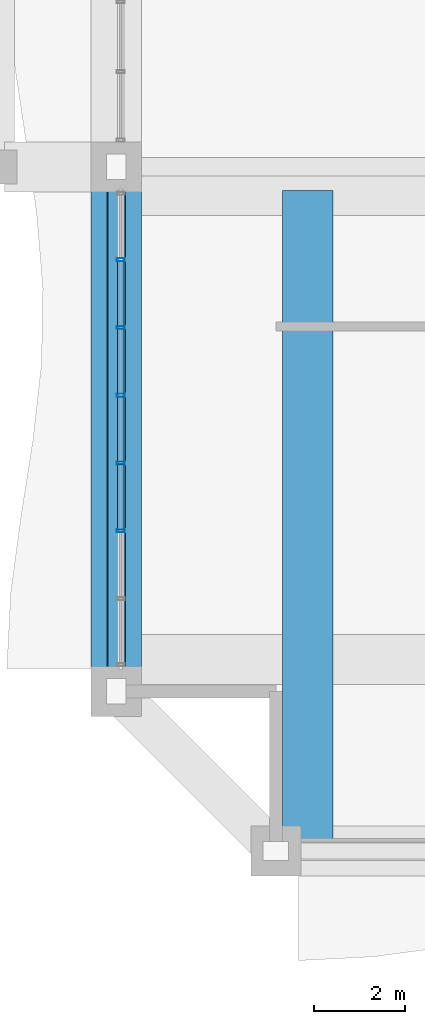
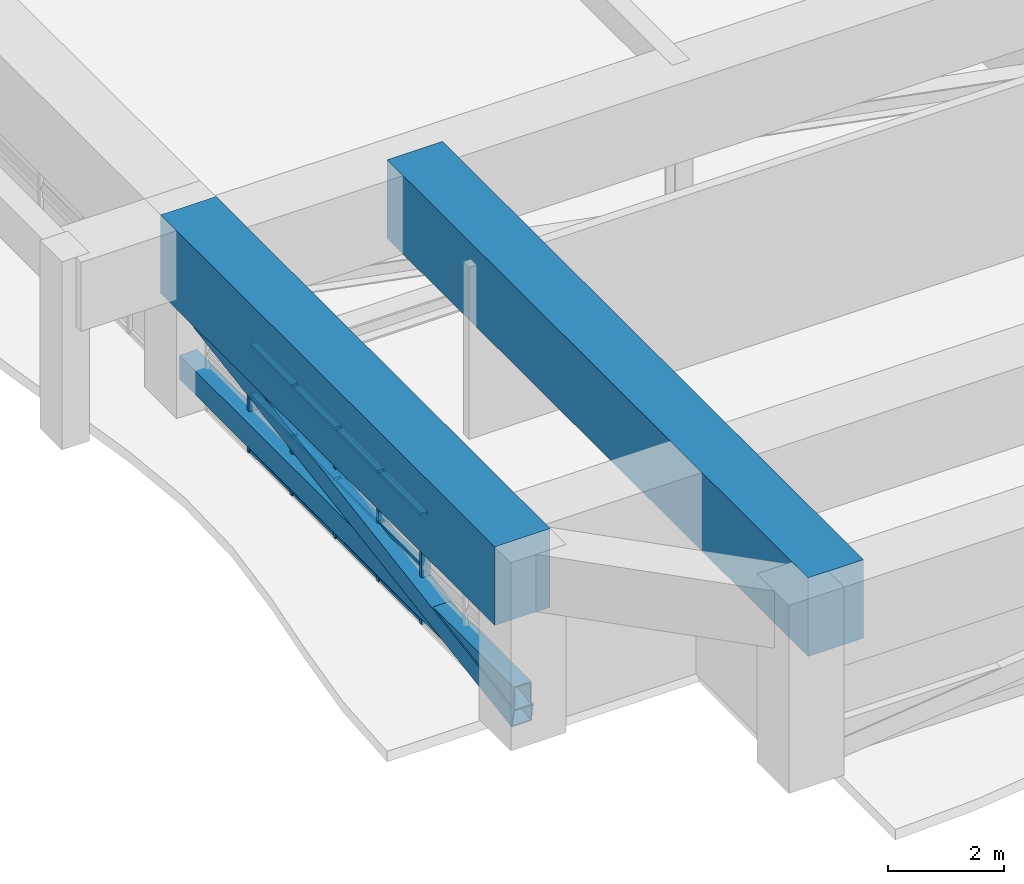
# One storey, part 4 of 35: 19 members, 2 beams, 1 element without a shape of its own.
"""IFC4 building model written with IfcOpenShell, lengths in metres."""

from ifc_helpers import new_model, si_unit, direction, frame, origin, origin_2d, place, context, subcontext, project, spatial, rectangle, hollow_rectangle, extrude, source, transform, mapped, material, layer, layer_set, material_profile, profile_set, type_object, element, aggregate, save


model = new_model("IFC4")

# Units and contexts
model_context = context("Model", 3, precision=1e-05, world=origin(), true_north=direction((0.0, 1.0)))
body_context = subcontext(model_context, "Body", "Model", "MODEL_VIEW")
ifc_project = project(units=[si_unit("LENGTHUNIT", "METRE"), si_unit("AREAUNIT", "SQUARE_METRE"), si_unit("VOLUMEUNIT", "CUBIC_METRE"), si_unit("PLANEANGLEUNIT", "RADIAN"), si_unit("MASSUNIT", "GRAM", prefix="KILO")], contexts=[model_context])

# Site, building, storey
site_placement = place(None, origin())
site = spatial("IfcSite", under=ifc_project, at=site_placement, CompositionType="ELEMENT")
building_placement = place(site_placement, origin())
building = spatial("IfcBuilding", under=site, at=building_placement, Name="Saelheon Loggia Tower", CompositionType="ELEMENT")
storey_placement = place(building_placement, frame((0.0, 0.0, 70.39990234375)))
storey = spatial("IfcBuildingStorey", under=building, at=storey_placement, Name="L22", CompositionType="ELEMENT", Elevation=70.39990234375)

# Beams
ifc_material_1 = material(Name="Concrete C50/60", Category="concrete")
ifc_material_profile_1 = material_profile(ifc_material_1, rectangle(XDim=1.10009765625, YDim=1.64990234375, at=origin_2d()), Name="RC-1100x1650")
ifc_profile_set_1 = profile_set([ifc_material_profile_1], Name="Concrete C50/60")
beam_type_1 = type_object("IfcBeamType", Name="Beam_PerimMega_RC1100x1650", PredefinedType="BEAM", material=ifc_profile_set_1)
shared_shape_1 = source(origin(), body_context, "Body", "SweptSolid", [
    extrude(rectangle(XDim=1.10009765625, YDim=1.64990234375, at=origin_2d()), origin(), (0.0, 0.0, 1.0), 11.5),
])
beam_1_placement = place(storey_placement, frame((12.0, 18.0, 3.125), z_axis=(0.0, -1.0, 0.0), x_axis=(1.0, 0.0, 0.0)))
element("IfcBeam", 1, at=beam_1_placement, inside=storey, type_object=beam_type_1, Name="L22 Perimeter Frame Girder 15", PredefinedType="BEAM", context=body_context, shape_type="MappedRepresentation", body=[
    mapped(shared_shape_1, transform((0.0, 0.0, 0.0), scale=1.0)),
])
ifc_material_profile_2 = material_profile(ifc_material_1, rectangle(XDim=1.10009765625, YDim=1.64990234375, at=origin_2d()), Name="RC-1100x1650")
ifc_profile_set_2 = profile_set([ifc_material_profile_2], Name="Concrete C50/60")
beam_type_2 = type_object("IfcBeamType", Name="Beam_MegaTransfer_RC1100x1650", PredefinedType="BEAM", material=ifc_profile_set_2)
shared_shape_2 = source(origin(), body_context, "Body", "SweptSolid", [
    extrude(rectangle(XDim=1.10009765625, YDim=1.64990234375, at=origin_2d()), origin(), (0.0, 0.0, 1.0), 14.47998046875),
])
beam_2_placement = place(storey_placement, frame((16.199951171875, 3.0, 3.125), z_axis=(0.0, 1.0, 0.0), x_axis=(-1.0, 0.0, 0.0)))
element("IfcBeam", 2, at=beam_2_placement, inside=storey, type_object=beam_type_2, Name="TG-L22-NL-SW", PredefinedType="BEAM", context=body_context, shape_type="MappedRepresentation", body=[
    mapped(shared_shape_2, transform((0.0, 0.0, 0.0), scale=1.0)),
])

# Members
ifc_material_2 = material(Name="Steel SM355", Category="steel")
ifc_material_profile_3 = material_profile(ifc_material_2, hollow_rectangle(XDim=0.35009765625, YDim=0.5, WallThickness=0.02197265625, at=origin_2d()), Name="RHS-500x350x22")
ifc_profile_set_3 = profile_set([ifc_material_profile_3], Name="Steel SM355")
member_type_1 = type_object("IfcMemberType", Name="Belt_Chord_RHS500", PredefinedType="CHORD", material=ifc_profile_set_3)
shared_shape_3 = source(origin(), body_context, "Body", "SweptSolid", [
    extrude(hollow_rectangle(XDim=0.35009765625, YDim=0.5, WallThickness=0.02197265625, at=origin_2d()), origin(), (0.0, 0.0, 1.0), 11.5),
])
member_1_placement = place(storey_placement, frame((12.0, 6.5, 0.6201171875), z_axis=(0.0, 1.0, 0.0), x_axis=(-1.0, 0.0, 0.0)))
element("IfcMember", 3, at=member_1_placement, inside=storey, type_object=member_type_1, Name="L22 Belt Truss Chord BW1", PredefinedType="CHORD", context=body_context, shape_type="MappedRepresentation", body=[
    mapped(shared_shape_3, transform((0.0, 0.0, 0.0), scale=1.0)),
])
ifc_material_profile_4 = material_profile(ifc_material_2, hollow_rectangle(XDim=0.39990234375, YDim=0.39990234375, WallThickness=0.02001953125, at=origin_2d()), Name="RHS-400x400x20")
ifc_profile_set_4 = profile_set([ifc_material_profile_4], Name="Steel SM355")
member_type_2 = type_object("IfcMemberType", Name="Belt_Brace_RHS400", PredefinedType="BRACE", material=ifc_profile_set_4)
shared_shape_4 = source(origin(), body_context, "Body", "SweptSolid", [
    extrude(hollow_rectangle(XDim=0.39990234375, YDim=0.39990234375, WallThickness=0.02001953125, at=origin_2d()), origin(), (0.0, 0.0, 1.0), 11.64794921875),
])
member_2_placement = place(storey_placement, frame((12.0, 6.5, 0.22021484375), z_axis=(0.0, 0.987308313487, 0.158815283018), x_axis=(-1.0, 0.0, 0.0)))
element("IfcMember", 4, at=member_2_placement, inside=storey, type_object=member_type_2, Name="L22 Belt Truss Brace BW1", PredefinedType="BRACE", context=body_context, shape_type="MappedRepresentation", body=[
    mapped(shared_shape_4, transform((0.0, 0.0, 0.0), scale=1.0)),
])

# Curtain wall, members
ifc_material_3 = material(Name="Anodised Aluminium Acoustic Louvre Curtain Wall", Category="aluminium")
ifc_layer = layer(ifc_material_3, 0.179931640625)
ifc_layer_set = layer_set([ifc_layer], Name="Anodised Aluminium Acoustic Louvre Curtain Wall")
curtain_wall_type = type_object("IfcCurtainWallType", Name="CW_RefugeAcoustic", PredefinedType="NOTDEFINED", material=ifc_layer_set)
curtain_wall_placement = place(storey_placement, origin())
curtain_wall = element("IfcCurtainWall", 5, at=curtain_wall_placement, inside=storey, type_object=curtain_wall_type, Name="L22 W Refuge Acoustic Curtain Wall 1", PredefinedType="NOTDEFINED")
ifc_material_4 = material(Name="Anodised Aluminium 6063-T6", Category="aluminium")
ifc_material_profile_5 = material_profile(ifc_material_4, hollow_rectangle(XDim=0.06494140625, YDim=0.179931640625, WallThickness=0.00390625, at=origin_2d()), Name="RHS-180x65x4")
ifc_profile_set_5 = profile_set([ifc_material_profile_5], Name="Anodised Aluminium 6063-T6")
member_type_3 = type_object("IfcMemberType", Name="CW_RefugeAcoustic_Mullion", PredefinedType="MULLION", material=ifc_profile_set_5)
shared_shape_5 = source(origin(), body_context, "Body", "SweptSolid", [
    extrude(hollow_rectangle(XDim=0.06494140625, YDim=0.179931640625, WallThickness=0.00390625, at=origin_2d()), origin(), (0.0, 0.0, 1.0), 2.2900390625),
])
member_3_placement = place(storey_placement, frame((12.10009765625, 10.021484375, 0.0), z_axis=(0.0, 0.0, 1.0), x_axis=(0.0, 1.0, 0.0)))
member_3 = element("IfcMember", 6, at=member_3_placement, type_object=member_type_3, Name="CW5 mullion 3", PredefinedType="MULLION", context=body_context, shape_type="MappedRepresentation", body=[
    mapped(shared_shape_5, transform((0.0, 0.0, 0.0), scale=1.0)),
])
member_4_placement = place(storey_placement, frame((12.10009765625, 11.507080078125, 0.0), z_axis=(0.0, 0.0, 1.0), x_axis=(0.0, 1.0, 0.0)))
member_4 = element("IfcMember", 7, at=member_4_placement, type_object=member_type_3, Name="CW5 mullion 4", PredefinedType="MULLION", context=body_context, shape_type="MappedRepresentation", body=[
    mapped(shared_shape_5, transform((0.0, 0.0, 0.0), scale=1.0)),
])
member_5_placement = place(storey_placement, frame((12.10009765625, 12.992919921875, 0.0), z_axis=(0.0, 0.0, 1.0), x_axis=(0.0, 1.0, 0.0)))
member_5 = element("IfcMember", 8, at=member_5_placement, type_object=member_type_3, Name="CW5 mullion 5", PredefinedType="MULLION", context=body_context, shape_type="MappedRepresentation", body=[
    mapped(shared_shape_5, transform((0.0, 0.0, 0.0), scale=1.0)),
])
member_6_placement = place(storey_placement, frame((12.10009765625, 14.478515625, 0.0), z_axis=(0.0, 0.0, 1.0), x_axis=(0.0, 1.0, 0.0)))
member_6 = element("IfcMember", 9, at=member_6_placement, type_object=member_type_3, Name="CW5 mullion 6", PredefinedType="MULLION", context=body_context, shape_type="MappedRepresentation", body=[
    mapped(shared_shape_5, transform((0.0, 0.0, 0.0), scale=1.0)),
])
member_7_placement = place(storey_placement, frame((12.10009765625, 15.96435546875, 0.0), z_axis=(0.0, 0.0, 1.0), x_axis=(0.0, 1.0, 0.0)))
member_7 = element("IfcMember", 10, at=member_7_placement, type_object=member_type_3, Name="CW5 mullion 7", PredefinedType="MULLION", context=body_context, shape_type="MappedRepresentation", body=[
    mapped(shared_shape_5, transform((0.0, 0.0, 0.0), scale=1.0)),
])
ifc_material_profile_6 = material_profile(ifc_material_4, hollow_rectangle(XDim=0.06494140625, YDim=0.139892578125, WallThickness=0.00390625, at=origin_2d()), Name="RHS-140x65x4")
ifc_profile_set_6 = profile_set([ifc_material_profile_6], Name="Anodised Aluminium 6063-T6")
member_type_4 = type_object("IfcMemberType", Name="CW_RefugeAcoustic_Transom", PredefinedType="USERDEFINED", material=ifc_profile_set_6)
shared_shape_6 = source(origin(), body_context, "Body", "SweptSolid", [
    extrude(hollow_rectangle(XDim=0.06494140625, YDim=0.139892578125, WallThickness=0.00390625, at=origin_2d()), origin(), (0.0, 0.0, 1.0), 1.4208984375),
])
member_8_placement = place(storey_placement, frame((12.10009765625, 11.53955078125, 0.03271484375), z_axis=(0.0, 1.0, 0.0), x_axis=(0.0, 0.0, 1.0)))
member_8 = element("IfcMember", 11, at=member_8_placement, type_object=member_type_4, Name="CW5 transom 4.1", ObjectType="TRANSOM", PredefinedType="USERDEFINED", context=body_context, shape_type="MappedRepresentation", body=[
    mapped(shared_shape_6, transform((0.0, 0.0, 0.0), scale=1.0)),
])
member_9_placement = place(storey_placement, frame((12.10009765625, 11.53955078125, 1.2001953125), z_axis=(0.0, 1.0, 0.0), x_axis=(0.0, 0.0, 1.0)))
member_9 = element("IfcMember", 12, at=member_9_placement, type_object=member_type_4, Name="CW5 transom 4.2", ObjectType="TRANSOM", PredefinedType="USERDEFINED", context=body_context, shape_type="MappedRepresentation", body=[
    mapped(shared_shape_6, transform((0.0, 0.0, 0.0), scale=1.0)),
])
member_10_placement = place(storey_placement, frame((12.10009765625, 11.53955078125, 2.257568359375), z_axis=(0.0, 1.0, 0.0), x_axis=(0.0, 0.0, 1.0)))
member_10 = element("IfcMember", 13, at=member_10_placement, type_object=member_type_4, Name="CW5 transom 4.3", ObjectType="TRANSOM", PredefinedType="USERDEFINED", context=body_context, shape_type="MappedRepresentation", body=[
    mapped(shared_shape_6, transform((0.0, 0.0, 0.0), scale=1.0)),
])
member_11_placement = place(storey_placement, frame((12.10009765625, 14.510986328125, 0.03271484375), z_axis=(0.0, 1.0, 0.0), x_axis=(0.0, 0.0, 1.0)))
member_11 = element("IfcMember", 14, at=member_11_placement, type_object=member_type_4, Name="CW5 transom 6.1", ObjectType="TRANSOM", PredefinedType="USERDEFINED", context=body_context, shape_type="MappedRepresentation", body=[
    mapped(shared_shape_6, transform((0.0, 0.0, 0.0), scale=1.0)),
])
member_12_placement = place(storey_placement, frame((12.10009765625, 14.510986328125, 1.2001953125), z_axis=(0.0, 1.0, 0.0), x_axis=(0.0, 0.0, 1.0)))
member_12 = element("IfcMember", 15, at=member_12_placement, type_object=member_type_4, Name="CW5 transom 6.2", ObjectType="TRANSOM", PredefinedType="USERDEFINED", context=body_context, shape_type="MappedRepresentation", body=[
    mapped(shared_shape_6, transform((0.0, 0.0, 0.0), scale=1.0)),
])
member_13_placement = place(storey_placement, frame((12.10009765625, 14.510986328125, 2.257568359375), z_axis=(0.0, 1.0, 0.0), x_axis=(0.0, 0.0, 1.0)))
member_13 = element("IfcMember", 16, at=member_13_placement, type_object=member_type_4, Name="CW5 transom 6.3", ObjectType="TRANSOM", PredefinedType="USERDEFINED", context=body_context, shape_type="MappedRepresentation", body=[
    mapped(shared_shape_6, transform((0.0, 0.0, 0.0), scale=1.0)),
])
shared_shape_7 = source(origin(), body_context, "Body", "SweptSolid", [
    extrude(hollow_rectangle(XDim=0.06494140625, YDim=0.139892578125, WallThickness=0.00390625, at=origin_2d()), origin(), (0.0, 0.0, 1.0), 1.420654296875),
])
member_14_placement = place(storey_placement, frame((12.10009765625, 10.053955078125, 0.03271484375), z_axis=(0.0, 1.0, 0.0), x_axis=(0.0, 0.0, 1.0)))
member_14 = element("IfcMember", 17, at=member_14_placement, type_object=member_type_4, Name="CW5 transom 3.1", ObjectType="TRANSOM", PredefinedType="USERDEFINED", context=body_context, shape_type="MappedRepresentation", body=[
    mapped(shared_shape_7, transform((0.0, 0.0, 0.0), scale=1.0)),
])
member_15_placement = place(storey_placement, frame((12.10009765625, 10.053955078125, 1.2001953125), z_axis=(0.0, 1.0, 0.0), x_axis=(0.0, 0.0, 1.0)))
member_15 = element("IfcMember", 18, at=member_15_placement, type_object=member_type_4, Name="CW5 transom 3.2", ObjectType="TRANSOM", PredefinedType="USERDEFINED", context=body_context, shape_type="MappedRepresentation", body=[
    mapped(shared_shape_7, transform((0.0, 0.0, 0.0), scale=1.0)),
])
member_16_placement = place(storey_placement, frame((12.10009765625, 10.053955078125, 2.257568359375), z_axis=(0.0, 1.0, 0.0), x_axis=(0.0, 0.0, 1.0)))
member_16 = element("IfcMember", 19, at=member_16_placement, type_object=member_type_4, Name="CW5 transom 3.3", ObjectType="TRANSOM", PredefinedType="USERDEFINED", context=body_context, shape_type="MappedRepresentation", body=[
    mapped(shared_shape_7, transform((0.0, 0.0, 0.0), scale=1.0)),
])
member_17_placement = place(storey_placement, frame((12.10009765625, 13.025390625, 0.03271484375), z_axis=(0.0, 1.0, 0.0), x_axis=(0.0, 0.0, 1.0)))
member_17 = element("IfcMember", 20, at=member_17_placement, type_object=member_type_4, Name="CW5 transom 5.1", ObjectType="TRANSOM", PredefinedType="USERDEFINED", context=body_context, shape_type="MappedRepresentation", body=[
    mapped(shared_shape_7, transform((0.0, 0.0, 0.0), scale=1.0)),
])
member_18_placement = place(storey_placement, frame((12.10009765625, 13.025390625, 1.2001953125), z_axis=(0.0, 1.0, 0.0), x_axis=(0.0, 0.0, 1.0)))
member_18 = element("IfcMember", 21, at=member_18_placement, type_object=member_type_4, Name="CW5 transom 5.2", ObjectType="TRANSOM", PredefinedType="USERDEFINED", context=body_context, shape_type="MappedRepresentation", body=[
    mapped(shared_shape_7, transform((0.0, 0.0, 0.0), scale=1.0)),
])
member_19_placement = place(storey_placement, frame((12.10009765625, 13.025390625, 2.257568359375), z_axis=(0.0, 1.0, 0.0), x_axis=(0.0, 0.0, 1.0)))
member_19 = element("IfcMember", 22, at=member_19_placement, type_object=member_type_4, Name="CW5 transom 5.3", ObjectType="TRANSOM", PredefinedType="USERDEFINED", context=body_context, shape_type="MappedRepresentation", body=[
    mapped(shared_shape_7, transform((0.0, 0.0, 0.0), scale=1.0)),
])
aggregate(curtain_wall, [member_3, member_4, member_5, member_6, member_7, member_14, member_15, member_16, member_8, member_9, member_10, member_17, member_18, member_19, member_11, member_12, member_13])

save(model, "model.ifc")
